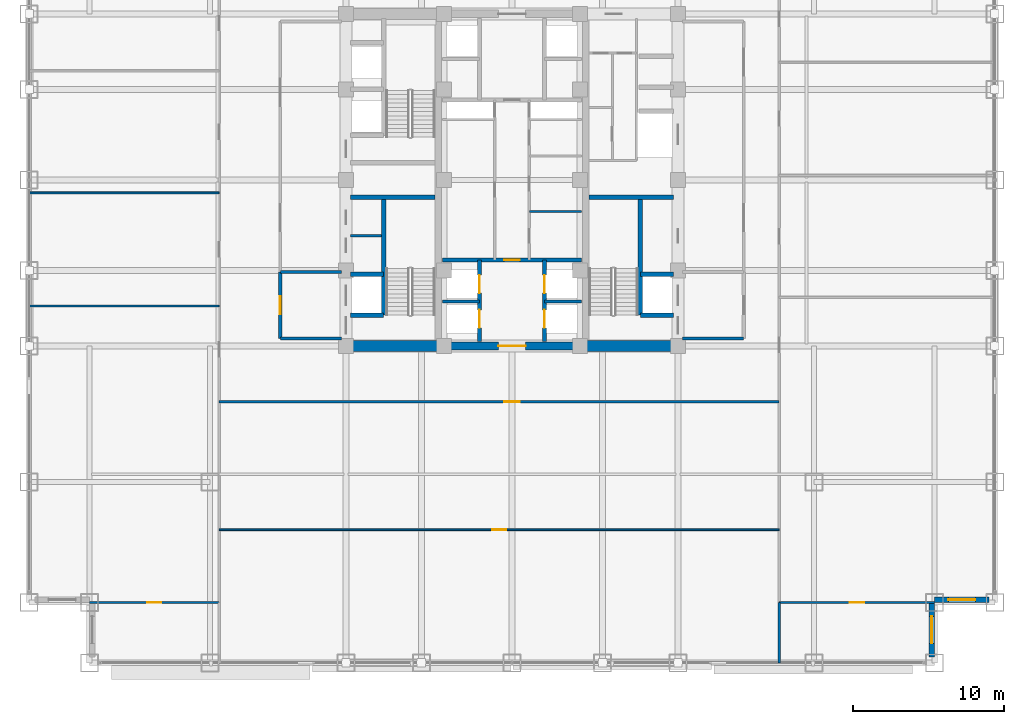
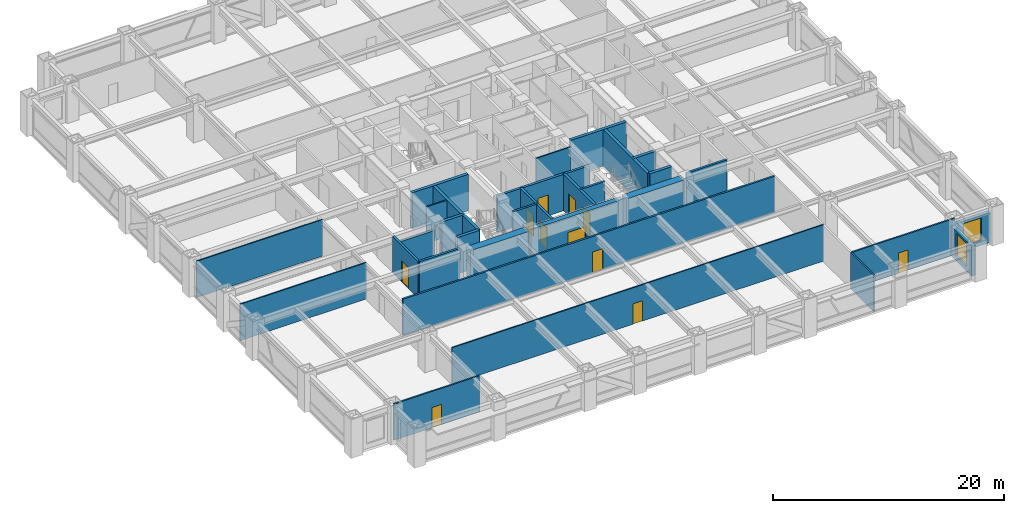
# One storey, part 23 of 32: 31 walls, 11 doors, 2 windows, 13 openings.
"""IFC4 building model written with IfcOpenShell, lengths in metres."""

import ifcopenshell
import ifcopenshell.guid

model = None  # the IFC model being written
_history = None  # IfcOwnerHistory: only IFC2X3 demands one
_inside = {}  # id of a spatial element -> (the spatial element, [elements in it])
_under = {}  # id of a project, library or spatial element -> (it, [spatial elements below it])
_declared = {}  # id of a project -> (the project, [libraries it declares])
_typed = {}  # id of a type object -> (the type object, [elements of that type])
_made_of = {}  # id of a material, layer set ... -> (it, [elements and type objects made of it])


def new_model(schema):
    """Start an empty IFC model of exactly this schema.

    Asked for "IFC4X3", IfcOpenShell would pick the latest addendum, in which some entities
    have other attributes; the version numbers below select the first issue.
    IFC2X3 requires an IfcOwnerHistory on every rooted entity: one is made here for all.
    """
    global model, _history
    if schema == "IFC4X3":
        model = ifcopenshell.file(schema_version=(4, 3, 0, 0))
    else:
        model = ifcopenshell.file(schema=schema)
    _inside.clear()
    _under.clear()
    _declared.clear()
    _typed.clear()
    _made_of.clear()
    _history = None
    if model.schema == "IFC2X3":
        org = make("IfcOrganization", Name="unknown")
        user = make(
            "IfcPersonAndOrganization",
            ThePerson=make("IfcPerson", FamilyName="unknown"),
            TheOrganization=org,
        )
        app = make(
            "IfcApplication",
            ApplicationDeveloper=org,
            Version="unknown",
            ApplicationFullName="unknown",
            ApplicationIdentifier="unknown",
        )
        _history = make(
            "IfcOwnerHistory",
            OwningUser=user,
            OwningApplication=app,
            ChangeAction="ADDED",
            CreationDate=0,
        )
    return model


def make(cls, **values):
    """One entity of the class cls with the attributes given. An attribute that is None is left unset."""
    return model.create_entity(
        cls, **{name: value for name, value in values.items() if value is not None}
    )


def rooted(cls, **values):
    """An entity with a GlobalId (a new one), such as an element, a storey or a relation."""
    return make(cls, GlobalId=ifcopenshell.guid.new(), OwnerHistory=_history, **values)


def si_unit(unit_type, name, prefix=None):
    """IfcSIUnit, for example si_unit("LENGTHUNIT", "METRE", prefix="MILLI")."""
    return make("IfcSIUnit", UnitType=unit_type, Prefix=prefix, Name=name)


def assignment(units):
    """IfcUnitAssignment: the units of a project."""
    return None if units is None else make("IfcUnitAssignment", Units=units)


def point(xyz):
    """IfcCartesianPoint."""
    return None if xyz is None else make("IfcCartesianPoint", Coordinates=xyz)


def direction(xyz):
    """IfcDirection."""
    return None if xyz is None else make("IfcDirection", DirectionRatios=xyz)


def frame(location, z_axis=None, x_axis=None):
    """IfcAxis2Placement3D, a coordinate frame: its origin and axes. An axis left out is left unset."""
    return make(
        "IfcAxis2Placement3D",
        Location=point(location),
        Axis=direction(z_axis),
        RefDirection=direction(x_axis),
    )


def frame_2d(location, x_axis=None):
    """IfcAxis2Placement2D, a coordinate frame in the plane: its origin and x axis."""
    return make(
        "IfcAxis2Placement2D", Location=point(location), RefDirection=direction(x_axis)
    )


def origin():
    """The frame at (0, 0, 0) with its axes left unset."""
    return frame((0.0, 0.0, 0.0))


def place(relative_to, where):
    """IfcLocalPlacement: puts the frame where relative to a parent placement (None: the world)."""
    return make(
        "IfcLocalPlacement", PlacementRelTo=relative_to, RelativePlacement=where
    )


def context(
    kind, dimensions, precision=None, world=None, true_north=None, identifier=None
):
    """IfcGeometricRepresentationContext, for example the 3D "Model" context."""
    return make(
        "IfcGeometricRepresentationContext",
        ContextIdentifier=identifier,
        ContextType=kind,
        CoordinateSpaceDimension=dimensions,
        Precision=precision,
        WorldCoordinateSystem=world,
        TrueNorth=true_north,
    )


def subcontext(parent, identifier, kind, view, scale=None):
    """IfcGeometricRepresentationSubContext, for example "Body" below "Model"."""
    return make(
        "IfcGeometricRepresentationSubContext",
        ContextIdentifier=identifier,
        ContextType=kind,
        ParentContext=parent,
        TargetScale=scale,
        TargetView=view,
    )


def project(units=None, contexts=None):
    """IfcProject with its units and contexts."""
    return rooted(
        "IfcProject",
        Name="project",
        RepresentationContexts=contexts,
        UnitsInContext=assignment(units),
    )


def spatial(cls, under=None, at=None, **own):
    """A site, building, storey or space (cls), placed at a placement, below another one or the project."""
    s = rooted(cls, ObjectPlacement=at, **own)
    if under is not None:
        _under.setdefault(under.id(), (under, []))[1].append(s)
    return s


def profile(cls, at=None, kind="AREA", **sizes):
    """A parametric profile (cls). Its sizes go by their IFC names, for example OverallWidth=200.0."""
    return make(cls, ProfileType=kind, Position=at, **sizes)


def rectangle(**sizes):
    """IfcRectangleProfileDef."""
    return profile("IfcRectangleProfileDef", **sizes)


def extrude(swept, where, along, depth):
    """IfcExtrudedAreaSolid: the profile swept, set in the frame where, extruded along a direction by depth."""
    return make(
        "IfcExtrudedAreaSolid",
        SweptArea=swept,
        Position=where,
        ExtrudedDirection=direction(along),
        Depth=depth,
    )


def shape(context_of_items, identifier, shape_type, items):
    """IfcShapeRepresentation: the items that make up one representation, for example the "Body"."""
    return make(
        "IfcShapeRepresentation",
        ContextOfItems=context_of_items,
        RepresentationIdentifier=identifier,
        RepresentationType=shape_type,
        Items=items,
    )


def source(mapping_origin, context_of_items, identifier, shape_type, items):
    """IfcRepresentationMap: a shape defined once, which mapped items show again and again."""
    return make(
        "IfcRepresentationMap",
        MappingOrigin=mapping_origin,
        MappedRepresentation=shape(context_of_items, identifier, shape_type, items),
    )


def transform(
    local_origin,
    x_axis=None,
    y_axis=None,
    z_axis=None,
    scale=None,
    scale2=None,
    scale3=None,
    uniform=True,
):
    """IfcCartesianTransformationOperator3D, or its non-uniform kind. x_axis, y_axis, z_axis: its Axis1, 2, 3."""
    if uniform:
        return make(
            "IfcCartesianTransformationOperator3D",
            Axis1=direction(x_axis),
            Axis2=direction(y_axis),
            LocalOrigin=point(local_origin),
            Scale=scale,
            Axis3=direction(z_axis),
        )
    return make(
        "IfcCartesianTransformationOperator3DnonUniform",
        Axis1=direction(x_axis),
        Axis2=direction(y_axis),
        LocalOrigin=point(local_origin),
        Scale=scale,
        Axis3=direction(z_axis),
        Scale2=scale2,
        Scale3=scale3,
    )


def mapped(mapping_source, mapping_target):
    """IfcMappedItem: shows the shape of a source again, moved by a transform."""
    return make(
        "IfcMappedItem", MappingSource=mapping_source, MappingTarget=mapping_target
    )


def material(Name=None, Category=None):
    """IfcMaterial."""
    return make("IfcMaterial", Name=Name, Category=Category)


def layer(
    of_material, thickness, ventilated=None, Name=None, Category=None, Priority=None
):
    """IfcMaterialLayer: one layer of a wall or slab, of a material (None: an air gap)."""
    return make(
        "IfcMaterialLayer",
        Material=of_material,
        LayerThickness=thickness,
        IsVentilated=ventilated,
        Name=Name,
        Category=Category,
        Priority=Priority,
    )


def layer_set(layers, Name=None):
    """IfcMaterialLayerSet."""
    return make("IfcMaterialLayerSet", MaterialLayers=layers, LayerSetName=Name)


def made_of(thing, what):
    """Note that an element or type object is made of a material, layer set ...; save() writes the relation."""
    if what is not None:
        _made_of.setdefault(what.id(), (what, []))[1].append(thing)
    return thing


def type_object(cls, material=None, **own):
    """A type object (cls), such as IfcWallType, which elements share."""
    return made_of(rooted(cls, **own), material)


def element(
    cls,
    number,
    at=None,
    inside=None,
    cuts=None,
    type_object=None,
    material=None,
    context=None,
    identifier="Body",
    shape_type=None,
    held_by="IfcProductDefinitionShape",
    body=None,
    shapes=None,
    **own,
):
    """One element of the class cls, such as IfcWall. Its Tag is "e" and its number.

    at: its placement. inside: the storey or other place that contains it. cuts: it is an
    opening in that element (IfcRelVoidsElement). A single representation is given by context,
    identifier, shape_type and body (its items); several are given by shapes. held_by: the class
    of the entity that holds the representations. save() writes the other relations.
    """
    e = rooted(cls, Tag="e%d" % number, ObjectPlacement=at, **own)
    if body is not None:
        shapes = [shape(context, identifier, shape_type, body)]
    if shapes is not None:
        e.Representation = make(held_by, Representations=shapes)
    if inside is not None:
        _inside.setdefault(inside.id(), (inside, []))[1].append(e)
    if cuts is not None:
        rooted(
            "IfcRelVoidsElement", RelatingBuildingElement=cuts, RelatedOpeningElement=e
        )
    if type_object is not None:
        _typed.setdefault(type_object.id(), (type_object, []))[1].append(e)
    return made_of(e, material)


def fill(opening, filler):
    """IfcRelFillsElement: the door or window that sits in an opening."""
    return rooted(
        "IfcRelFillsElement",
        RelatingOpeningElement=opening,
        RelatedBuildingElement=filler,
    )


def aggregate(whole, parts):
    """IfcRelAggregates: a whole, such as a stair, and the parts it consists of."""
    return rooted("IfcRelAggregates", RelatingObject=whole, RelatedObjects=parts)


def save(model, path):
    """Write the relations noted so far, then the file.

    IfcRelAggregates (storeys below a building ...), IfcRelContainedInSpatialStructure (elements
    in a storey), IfcRelDefinesByType, IfcRelAssociatesMaterial and IfcRelDeclares: one each for
    every whole, place, type object, material and project.
    """
    for whole, parts in _under.values():
        aggregate(whole, parts)
    for where, things in _inside.values():
        rooted(
            "IfcRelContainedInSpatialStructure",
            RelatedElements=things,
            RelatingStructure=where,
        )
    for kind, things in _typed.values():
        rooted("IfcRelDefinesByType", RelatedObjects=things, RelatingType=kind)
    for what, things in _made_of.values():
        rooted("IfcRelAssociatesMaterial", RelatedObjects=things, RelatingMaterial=what)
    for by, libraries in _declared.values():
        rooted("IfcRelDeclares", RelatingContext=by, RelatedDefinitions=libraries)
    model.write(path)


model = new_model("IFC4")

# Units and contexts
model_context = context("Model", 3, precision=1e-05, world=origin(), true_north=direction((0.0, 1.0)))
body_context = subcontext(model_context, "Body", "Model", "MODEL_VIEW")
ifc_project = project(units=[si_unit("LENGTHUNIT", "METRE"), si_unit("AREAUNIT", "SQUARE_METRE"), si_unit("VOLUMEUNIT", "CUBIC_METRE"), si_unit("PLANEANGLEUNIT", "RADIAN"), si_unit("MASSUNIT", "GRAM", prefix="KILO")], contexts=[model_context])

# Site, building, storey
site_placement = place(None, origin())
site = spatial("IfcSite", under=ifc_project, at=site_placement, CompositionType="ELEMENT")
building_placement = place(site_placement, origin())
building = spatial("IfcBuilding", under=site, at=building_placement, Name="Khorayat Bourse Tower", CompositionType="ELEMENT")
storey_placement = place(building_placement, frame((0.0, 0.0, 95.5)))
storey = spatial("IfcBuildingStorey", under=building, at=storey_placement, Name="L21", CompositionType="ELEMENT", Elevation=95.5)

# Walls
ifc_material_1 = material(Name="Concrete C72/90", Category="concrete")
ifc_layer_1 = layer(ifc_material_1, 0.75)
ifc_layer_set_1 = layer_set([ifc_layer_1], Name="Concrete C72/90")
wall_type_1 = type_object("IfcWallType", Name="WAL-CORE-750", PredefinedType="SHEAR", material=ifc_layer_set_1)
shared_shape_1 = source(origin(), body_context, "Body", "SweptSolid", [
    extrude(rectangle(XDim=5.849853515625, YDim=0.75, at=frame_2d((2.9248046875, 0.0))), origin(), (0.0, 0.0, 1.0), 3.840087890625),
])
for number, where, z_axis, x_axis, name in (
    (1, (-10.699951171875, -11.0, 0.0), (0.0, 0.0, 1.0), (1.0, 0.0, 0.0), "L21 Core Shear Wall PIER-WS"),
    (2, (4.85009765625, -11.0, 0.0), (0.0, 0.0, 1.0), (1.0, 0.0, 0.0), "L21 Core Shear Wall PIER-ES"),
):
    element("IfcWall", number, at=place(storey_placement, frame(where, z_axis=z_axis, x_axis=x_axis)), inside=storey, type_object=wall_type_1, Name=name, PredefinedType="SHEAR", context=body_context, shape_type="MappedRepresentation", body=[
        mapped(shared_shape_1, transform((0.0, 0.0, 0.0), scale=1.0)),
    ])
ifc_material_2 = material(Name="Concrete C50/60", Category="concrete")
ifc_layer_2 = layer(ifc_material_2, 0.300048828125)
ifc_layer_set_2 = layer_set([ifc_layer_2], Name="Concrete C50/60")
wall_type_2 = type_object("IfcWallType", Name="WAL-SHAFT-300", PredefinedType="SHEAR", material=ifc_layer_set_2)
shared_shape_2 = source(origin(), body_context, "Body", "SweptSolid", [
    extrude(rectangle(XDim=5.599853515625, YDim=0.300048828125, at=frame_2d((2.7998046875, 0.0))), origin(), (0.0, 0.0, 1.0), 3.840087890625),
])
for number, where, z_axis, x_axis, name in (
    (3, (-10.699951171875, -1.14990234375, 0.0), (0.0, 0.0, 1.0), (1.0, 0.0, 0.0), "L21 Core Shear Wall ST1-DIV"),
    (4, (5.10009765625, -1.14990234375, 0.0), (0.0, 0.0, 1.0), (1.0, 0.0, 0.0), "L21 Core Shear Wall ST3-DIV"),
):
    element("IfcWall", number, at=place(storey_placement, frame(where, z_axis=z_axis, x_axis=x_axis)), inside=storey, type_object=wall_type_2, Name=name, PredefinedType="SHEAR", context=body_context, shape_type="MappedRepresentation", body=[
        mapped(shared_shape_2, transform((0.0, 0.0, 0.0), scale=1.0)),
    ])

# Wall, opening, door
ifc_material_3 = material(Name="Concrete C52/65", Category="concrete")
ifc_layer_3 = layer(ifc_material_3, 0.5)
ifc_layer_set_3 = layer_set([ifc_layer_3], Name="Concrete C52/65")
wall_type_3 = type_object("IfcWallType", Name="WAL-CORE-500", PredefinedType="SHEAR", material=ifc_layer_set_3)
shared_shape_3 = source(origin(), body_context, "Body", "SweptSolid", [
    extrude(rectangle(XDim=9.2001953125, YDim=0.5, at=frame_2d((4.60009765625, 0.0))), origin(), (0.0, 0.0, 1.0), 3.840087890625),
])
wall_1_placement = place(storey_placement, frame((-4.60009765625, -11.0, 0.0), z_axis=(0.0, 0.0, 1.0), x_axis=(1.0, 0.0, 0.0)))
wall_1 = element("IfcWall", 5, at=wall_1_placement, inside=storey, type_object=wall_type_3, Name="L21 Core Shear Wall CORE-S", PredefinedType="SHEAR", context=body_context, shape_type="MappedRepresentation", body=[
    mapped(shared_shape_3, transform((0.0, 0.0, 0.0), scale=1.0)),
])
shared_shape_4 = source(origin(), body_context, "Body", "SweptSolid", [
    extrude(rectangle(XDim=1.800048828125, YDim=2.25, at=frame_2d((0.89990234375, 1.125))), frame((0.0, 0.260009765625, 0.0), z_axis=(0.0, -1.0, 0.0), x_axis=(1.0, 0.0, 0.0)), (0.0, 0.0, 1.0), 0.52001953125),
])
opening_1_placement = place(wall_1_placement, frame((3.699951171875, 0.0, 0.0)))
opening_1 = element("IfcOpeningElement", 6, at=opening_1_placement, cuts=wall_1, Name="Opening DI-03", PredefinedType="OPENING", context=body_context, shape_type="MappedRepresentation", body=[
    mapped(shared_shape_4, transform((0.0, 0.0, 0.0), scale=1.0)),
])
ifc_material_4 = material(Name="Fire-rated hardwood vision-panel double leaf", Category="wood")
door_type_1 = type_object("IfcDoorType", Name="DR-INT-CORR-1800", OperationType="NOTDEFINED", PredefinedType="DOOR", material=ifc_material_4)
shared_shape_5 = source(origin(), body_context, "Body", "SweptSolid", [
    extrude(rectangle(XDim=1.800048828125, YDim=2.25, at=frame_2d((0.89990234375, 1.125))), frame((0.0, 0.02490234375, 0.0), z_axis=(0.0, -1.0, 0.0), x_axis=(1.0, 0.0, 0.0)), (0.0, 0.0, 1.0), 0.050048828125),
])
door_1_placement = place(opening_1_placement, origin())
door_1 = element("IfcDoor", 7, at=door_1_placement, inside=storey, type_object=door_type_1, Name="L21 Low-Rise Lift Lobby Door", OperationType="SINGLE_SWING_LEFT", OverallHeight=2.25, OverallWidth=1.800048828125, PredefinedType="DOOR", context=body_context, shape_type="MappedRepresentation", body=[
    mapped(shared_shape_5, transform((0.0, 0.0, 0.0), scale=1.0)),
])
fill(opening_1, door_1)

# Wall, opening, window
ifc_material_5 = material(Name="Precast concrete C45/55", Category="concrete")
ifc_layer_4 = layer(ifc_material_5, 0.3798828125)
ifc_layer_set_4 = layer_set([ifc_layer_4], Name="Precast concrete C45/55")
wall_type_4 = type_object("IfcWallType", Name="WAL-EXT-STONE-380", PredefinedType="STANDARD", material=ifc_layer_set_4)
shared_shape_6 = source(origin(), body_context, "Body", "SweptSolid", [
    extrude(rectangle(XDim=3.6201171875, YDim=0.3798828125, at=frame_2d((1.81005859375, 0.0))), origin(), (0.0, 0.0, 1.0), 3.14501953125),
])
wall_2_placement = place(storey_placement, frame((27.81005859375, -31.6201171875, 0.0), z_axis=(0.0, 0.0, 1.0), x_axis=(0.0, 1.0, 0.0)))
wall_2 = element("IfcWall", 8, at=wall_2_placement, inside=storey, type_object=wall_type_4, Name="L21 Re-Entrant Notch Limestone Wall SE-V", PredefinedType="STANDARD", context=body_context, shape_type="MappedRepresentation", body=[
    mapped(shared_shape_6, transform((0.0, 0.0, 0.0), scale=1.0)),
])
shared_shape_7 = source(origin(), body_context, "Body", "SweptSolid", [
    extrude(rectangle(XDim=1.800048828125, YDim=2.39990234375, at=frame_2d((0.89990234375, 1.199951171875))), frame((0.0, 0.199951171875, 0.0), z_axis=(0.0, -1.0, 0.0), x_axis=(1.0, 0.0, 0.0)), (0.0, 0.0, 1.0), 0.39990234375),
])
opening_2_placement = place(wall_2_placement, frame((0.909912109375, 0.0, 0.5)))
opening_2 = element("IfcOpeningElement", 9, at=opening_2_placement, cuts=wall_2, Name="Opening WN-04", PredefinedType="OPENING", context=body_context, shape_type="MappedRepresentation", body=[
    mapped(shared_shape_7, transform((0.0, 0.0, 0.0), scale=1.0)),
])
ifc_material_6 = material(Name="Low-E acoustic laminated double glazing", Category="glass")
window_type = type_object("IfcWindowType", Name="WIN-NOTCH-1800x2400", PartitioningType="SINGLE_PANEL", PredefinedType="WINDOW", material=ifc_material_6)
shared_shape_8 = source(origin(), body_context, "Body", "SweptSolid", [
    extrude(rectangle(XDim=1.800048828125, YDim=2.39990234375, at=frame_2d((0.89990234375, 1.199951171875))), frame((0.0, 0.030029296875, 0.0), z_axis=(0.0, -1.0, 0.0), x_axis=(1.0, 0.0, 0.0)), (0.0, 0.0, 1.0), 0.06005859375),
])
window_1_placement = place(opening_2_placement, origin())
window_1 = element("IfcWindow", 10, at=window_1_placement, inside=storey, type_object=window_type, Name="L21 Facade Window 1", OverallHeight=2.39990234375, OverallWidth=1.800048828125, PartitioningType="SINGLE_PANEL", PredefinedType="WINDOW", context=body_context, shape_type="MappedRepresentation", body=[
    mapped(shared_shape_8, transform((0.0, 0.0, 0.0), scale=1.0)),
])
fill(opening_2, window_1)

wall_3_placement = place(storey_placement, frame((28.0, -27.81005859375, 0.0), z_axis=(0.0, 0.0, 1.0), x_axis=(1.0, 0.0, 0.0)))
wall_3 = element("IfcWall", 11, at=wall_3_placement, inside=storey, type_object=wall_type_4, Name="L21 Re-Entrant Notch Limestone Wall SE-H", PredefinedType="STANDARD", context=body_context, shape_type="MappedRepresentation", body=[
    mapped(shared_shape_6, transform((0.0, 0.0, 0.0), scale=1.0)),
])
opening_3_placement = place(wall_3_placement, frame((0.909912109375, 0.0, 0.5)))
opening_3 = element("IfcOpeningElement", 12, at=opening_3_placement, cuts=wall_3, Name="Opening WN-04", PredefinedType="OPENING", context=body_context, shape_type="MappedRepresentation", body=[
    mapped(shared_shape_7, transform((0.0, 0.0, 0.0), scale=1.0)),
])
window_2_placement = place(opening_3_placement, origin())
window_2 = element("IfcWindow", 13, at=window_2_placement, inside=storey, type_object=window_type, Name="L21 Facade Window 1", OverallHeight=2.39990234375, OverallWidth=1.800048828125, PartitioningType="SINGLE_PANEL", PredefinedType="WINDOW", context=body_context, shape_type="MappedRepresentation", body=[
    mapped(shared_shape_8, transform((0.0, 0.0, 0.0), scale=1.0)),
])
fill(opening_3, window_2)

# Walls
shared_shape_9 = source(origin(), body_context, "Body", "SweptSolid", [
    extrude(rectangle(XDim=7.800048828125, YDim=0.300048828125, at=frame_2d((3.89990234375, 0.0))), origin(), (0.0, 0.0, 1.0), 3.840087890625),
])
for number, where, z_axis, x_axis, name in (
    (14, (-8.5, -8.949951171875, 0.0), (0.0, 0.0, 1.0), (0.0, 1.0, 0.0), "L21 Partition WAL-L21-WPIER-SP"),
    (15, (8.5, -8.949951171875, 0.0), (0.0, 0.0, 1.0), (0.0, 1.0, 0.0), "L21 Partition WAL-L21-EPIER-SP"),
):
    element("IfcWall", number, at=place(storey_placement, frame(where, z_axis=z_axis, x_axis=x_axis)), inside=storey, type_object=wall_type_2, Name=name, PredefinedType="SHEAR", context=body_context, shape_type="MappedRepresentation", body=[
        mapped(shared_shape_9, transform((0.0, 0.0, 0.0), scale=1.0)),
    ])
shared_shape_10 = source(origin(), body_context, "Body", "SweptSolid", [
    extrude(rectangle(XDim=2.199951171875, YDim=0.300048828125, at=frame_2d((1.10009765625, 0.0))), origin(), (0.0, 0.0, 1.0), 3.840087890625),
])
for number, where, z_axis, x_axis, name in (
    (16, (-10.699951171875, -8.949951171875, 0.0), (0.0, 0.0, 1.0), (1.0, 0.0, 0.0), "L21 Partition WAL-L21-WPIER-FF1S"),
    (17, (-10.699951171875, -6.25, 0.0), (0.0, 0.0, 1.0), (1.0, 0.0, 0.0), "L21 Partition WAL-L21-WPIER-FF1N"),
    (18, (8.5, -8.949951171875, 0.0), (0.0, 0.0, 1.0), (1.0, 0.0, 0.0), "L21 Partition WAL-L21-EPIER-FF2S"),
    (19, (8.5, -6.25, 0.0), (0.0, 0.0, 1.0), (1.0, 0.0, 0.0), "L21 Partition WAL-L21-EPIER-FF2N"),
):
    element("IfcWall", number, at=place(storey_placement, frame(where, z_axis=z_axis, x_axis=x_axis)), inside=storey, type_object=wall_type_2, Name=name, PredefinedType="SHEAR", context=body_context, shape_type="MappedRepresentation", body=[
        mapped(shared_shape_10, transform((0.0, 0.0, 0.0), scale=1.0)),
    ])
ifc_material_7 = material(Name="Gypsum plasterboard twin-frame partition")
ifc_layer_5 = layer(ifc_material_7, 0.14990234375)
ifc_layer_set_5 = layer_set([ifc_layer_5], Name="Gypsum plasterboard twin-frame partition")
wall_type_5 = type_object("IfcWallType", Name="WAL-PART-SUITE-150", PredefinedType="PARTITIONING", material=ifc_layer_set_5)
shared_shape_11 = source(origin(), body_context, "Body", "SweptSolid", [
    extrude(rectangle(XDim=2.050048828125, YDim=0.14990234375, at=frame_2d((1.02490234375, 0.0))), origin(), (0.0, 0.0, 1.0), 3.840087890625),
])
wall_4_placement = place(storey_placement, frame((-10.699951171875, -3.699951171875, 0.0), z_axis=(0.0, 0.0, 1.0), x_axis=(1.0, 0.0, 0.0)))
element("IfcWall", 20, at=wall_4_placement, inside=storey, type_object=wall_type_5, Name="L21 Partition WAL-L21-WSRV-D1", PredefinedType="PARTITIONING", context=body_context, shape_type="MappedRepresentation", body=[
    mapped(shared_shape_11, transform((0.0, 0.0, 0.0), scale=1.0)),
])
ifc_material_8 = material(Name="Aerated concrete blockwork", Category="masonry")
ifc_layer_6 = layer(ifc_material_8, 0.219970703125)
ifc_layer_set_6 = layer_set([ifc_layer_6], Name="Aerated concrete blockwork")
wall_type_6 = type_object("IfcWallType", Name="WAL-PART-FF-220", PredefinedType="PARTITIONING", material=ifc_layer_set_6)
shared_shape_12 = source(origin(), body_context, "Body", "SweptSolid", [
    extrude(rectangle(XDim=4.050048828125, YDim=0.219970703125, at=frame_2d((2.02490234375, 0.0))), origin(), (0.0, 0.0, 1.0), 3.840087890625),
])
for number, where, z_axis, x_axis, name in (
    (21, (-15.35009765625, -10.5, 0.0), (0.0, 0.0, 1.0), (1.0, 0.0, 0.0), "L21 Partition WAL-L21-FFLW-S"),
    (22, (11.300048828125, -10.5, 0.0), (0.0, 0.0, 1.0), (1.0, 0.0, 0.0), "L21 Partition WAL-L21-FFLE-S"),
):
    element("IfcWall", number, at=place(storey_placement, frame(where, z_axis=z_axis, x_axis=x_axis)), inside=storey, type_object=wall_type_6, Name=name, PredefinedType="PARTITIONING", context=body_context, shape_type="MappedRepresentation", body=[
        mapped(shared_shape_12, transform((0.0, 0.0, 0.0), scale=1.0)),
    ])

# Wall, opening, door
shared_shape_13 = source(origin(), body_context, "Body", "SweptSolid", [
    extrude(rectangle(XDim=4.39990234375, YDim=0.219970703125, at=frame_2d((2.199951171875, 0.0))), origin(), (0.0, 0.0, 1.0), 3.840087890625),
])
wall_5_placement = place(storey_placement, frame((-15.35009765625, -10.5, 0.0), z_axis=(0.0, 0.0, 1.0), x_axis=(0.0, 1.0, 0.0)))
wall_5 = element("IfcWall", 23, at=wall_5_placement, inside=storey, type_object=wall_type_6, Name="L21 Partition WAL-L21-FFLW-W", PredefinedType="PARTITIONING", context=body_context, shape_type="MappedRepresentation", body=[
    mapped(shared_shape_13, transform((0.0, 0.0, 0.0), scale=1.0)),
])
shared_shape_14 = source(origin(), body_context, "Body", "SweptSolid", [
    extrude(rectangle(XDim=1.199951171875, YDim=2.199951171875, at=frame_2d((0.60009765625, 1.10009765625))), frame((0.0, 0.119873046875, 0.0), z_axis=(0.0, -1.0, 0.0), x_axis=(1.0, 0.0, 0.0)), (0.0, 0.0, 1.0), 0.239990234375),
])
opening_4_placement = place(wall_5_placement, frame((1.60009765625, 0.0, 0.0)))
opening_4 = element("IfcOpeningElement", 24, at=opening_4_placement, cuts=wall_5, Name="Opening DI-02", PredefinedType="OPENING", context=body_context, shape_type="MappedRepresentation", body=[
    mapped(shared_shape_14, transform((0.0, 0.0, 0.0), scale=1.0)),
])
ifc_material_9 = material(Name="Fire-rated steel double-seal leaf", Category="steel")
door_type_2 = type_object("IfcDoorType", Name="DR-INT-FFLOBBY-1200", OperationType="NOTDEFINED", PredefinedType="DOOR", material=ifc_material_9)
shared_shape_15 = source(origin(), body_context, "Body", "SweptSolid", [
    extrude(rectangle(XDim=1.199951171875, YDim=2.199951171875, at=frame_2d((0.60009765625, 1.10009765625))), frame((0.0, 0.02490234375, 0.0), z_axis=(0.0, -1.0, 0.0), x_axis=(1.0, 0.0, 0.0)), (0.0, 0.0, 1.0), 0.050048828125),
])
door_2_placement = place(opening_4_placement, origin())
door_2 = element("IfcDoor", 25, at=door_2_placement, inside=storey, type_object=door_type_2, Name="L21 West Firefighting Lobby Door", OperationType="SINGLE_SWING_LEFT", OverallHeight=2.199951171875, OverallWidth=1.199951171875, PredefinedType="DOOR", context=body_context, shape_type="MappedRepresentation", body=[
    mapped(shared_shape_15, transform((0.0, 0.0, 0.0), scale=1.0)),
])
fill(opening_4, door_2)

# Wall, openings, doors
shared_shape_16 = source(origin(), body_context, "Body", "SweptSolid", [
    extrude(rectangle(XDim=5.39990234375, YDim=0.25, at=frame_2d((2.699951171875, 0.0))), origin(), (0.0, 0.0, 1.0), 3.840087890625),
])
wall_6_placement = place(storey_placement, frame((-2.14990234375, -10.699951171875, 0.0), z_axis=(0.0, 0.0, 1.0), x_axis=(0.0, 1.0, 0.0)))
wall_6 = element("IfcWall", 26, at=wall_6_placement, inside=storey, type_object=wall_type_2, Name="L21 Partition WAL-L21-B1-W", PredefinedType="SHEAR", context=body_context, shape_type="MappedRepresentation", body=[
    mapped(shared_shape_16, transform((0.0, 0.0, 0.0), scale=1.0)),
])
shared_shape_17 = source(origin(), body_context, "Body", "SweptSolid", [
    extrude(rectangle(XDim=1.199951171875, YDim=2.300048828125, at=frame_2d((0.60009765625, 1.14990234375))), frame((0.0, 0.135009765625, 0.0), z_axis=(0.0, -1.0, 0.0), x_axis=(1.0, 0.0, 0.0)), (0.0, 0.0, 1.0), 0.27001953125),
])
opening_5_placement = place(wall_6_placement, frame((0.89990234375, 0.0, 0.0)))
opening_5 = element("IfcOpeningElement", 27, at=opening_5_placement, cuts=wall_6, Name="Opening LD-01", PredefinedType="OPENING", context=body_context, shape_type="MappedRepresentation", body=[
    mapped(shared_shape_17, transform((0.0, 0.0, 0.0), scale=1.0)),
])
opening_6_placement = place(wall_6_placement, frame((3.199951171875, 0.0, 0.0)))
opening_6 = element("IfcOpeningElement", 28, at=opening_6_placement, cuts=wall_6, Name="Opening LD-01", PredefinedType="OPENING", context=body_context, shape_type="MappedRepresentation", body=[
    mapped(shared_shape_17, transform((0.0, 0.0, 0.0), scale=1.0)),
])
ifc_material_10 = material(Name="Brushed bronze stainless-steel sliding door", Category="steel")
door_type_3 = type_object("IfcDoorType", Name="DR-LIFT-PASS-1200", OperationType="NOTDEFINED", PredefinedType="DOOR", material=ifc_material_10)
shared_shape_18 = source(origin(), body_context, "Body", "SweptSolid", [
    extrude(rectangle(XDim=1.199951171875, YDim=2.300048828125, at=frame_2d((0.60009765625, 1.14990234375))), frame((0.0, 0.02490234375, 0.0), z_axis=(0.0, -1.0, 0.0), x_axis=(1.0, 0.0, 0.0)), (0.0, 0.0, 1.0), 0.050048828125),
])
door_3_placement = place(opening_5_placement, origin())
door_3 = element("IfcDoor", 29, at=door_3_placement, inside=storey, type_object=door_type_3, Name="L21 Lift PL-L1 Sliding Landing Door", OperationType="SLIDING_TO_LEFT", OverallHeight=2.300048828125, OverallWidth=1.199951171875, PredefinedType="DOOR", context=body_context, shape_type="MappedRepresentation", body=[
    mapped(shared_shape_18, transform((0.0, 0.0, 0.0), scale=1.0)),
])
fill(opening_5, door_3)
door_4_placement = place(opening_6_placement, origin())
door_4 = element("IfcDoor", 30, at=door_4_placement, inside=storey, type_object=door_type_3, Name="L21 Lift PL-L3 Sliding Landing Door", OperationType="SLIDING_TO_LEFT", OverallHeight=2.300048828125, OverallWidth=1.199951171875, PredefinedType="DOOR", context=body_context, shape_type="MappedRepresentation", body=[
    mapped(shared_shape_18, transform((0.0, 0.0, 0.0), scale=1.0)),
])
fill(opening_6, door_4)

wall_7_placement = place(storey_placement, frame((2.14990234375, -10.699951171875, 0.0), z_axis=(0.0, 0.0, 1.0), x_axis=(0.0, 1.0, 0.0)))
wall_7 = element("IfcWall", 31, at=wall_7_placement, inside=storey, type_object=wall_type_2, Name="L21 Partition WAL-L21-B1-E", PredefinedType="SHEAR", context=body_context, shape_type="MappedRepresentation", body=[
    mapped(shared_shape_16, transform((0.0, 0.0, 0.0), scale=1.0)),
])
opening_7_placement = place(wall_7_placement, frame((0.89990234375, 0.0, 0.0)))
opening_7 = element("IfcOpeningElement", 32, at=opening_7_placement, cuts=wall_7, Name="Opening LD-01", PredefinedType="OPENING", context=body_context, shape_type="MappedRepresentation", body=[
    mapped(shared_shape_17, transform((0.0, 0.0, 0.0), scale=1.0)),
])
opening_8_placement = place(wall_7_placement, frame((3.199951171875, 0.0, 0.0)))
opening_8 = element("IfcOpeningElement", 33, at=opening_8_placement, cuts=wall_7, Name="Opening LD-01", PredefinedType="OPENING", context=body_context, shape_type="MappedRepresentation", body=[
    mapped(shared_shape_17, transform((0.0, 0.0, 0.0), scale=1.0)),
])
door_5_placement = place(opening_7_placement, origin())
door_5 = element("IfcDoor", 34, at=door_5_placement, inside=storey, type_object=door_type_3, Name="L21 Lift PL-L2 Sliding Landing Door", OperationType="SLIDING_TO_LEFT", OverallHeight=2.300048828125, OverallWidth=1.199951171875, PredefinedType="DOOR", context=body_context, shape_type="MappedRepresentation", body=[
    mapped(shared_shape_18, transform((0.0, 0.0, 0.0), scale=1.0)),
])
fill(opening_7, door_5)
door_6_placement = place(opening_8_placement, origin())
door_6 = element("IfcDoor", 35, at=door_6_placement, inside=storey, type_object=door_type_3, Name="L21 Lift PL-L4 Sliding Landing Door", OperationType="SLIDING_TO_LEFT", OverallHeight=2.300048828125, OverallWidth=1.199951171875, PredefinedType="DOOR", context=body_context, shape_type="MappedRepresentation", body=[
    mapped(shared_shape_18, transform((0.0, 0.0, 0.0), scale=1.0)),
])
fill(opening_8, door_6)

# Walls
shared_shape_19 = source(origin(), body_context, "Body", "SweptSolid", [
    extrude(rectangle(XDim=2.4501953125, YDim=0.199951171875, at=frame_2d((1.22509765625, 0.0))), origin(), (0.0, 0.0, 1.0), 3.840087890625),
])
for number, where, z_axis, x_axis, name in (
    (36, (-4.60009765625, -8.050048828125, 0.0), (0.0, 0.0, 1.0), (1.0, 0.0, 0.0), "L21 Partition WAL-L21-B1-MW"),
    (37, (2.14990234375, -8.050048828125, 0.0), (0.0, 0.0, 1.0), (1.0, 0.0, 0.0), "L21 Partition WAL-L21-B1-ME"),
):
    element("IfcWall", number, at=place(storey_placement, frame(where, z_axis=z_axis, x_axis=x_axis)), inside=storey, type_object=wall_type_2, Name=name, PredefinedType="SHEAR", context=body_context, shape_type="MappedRepresentation", body=[
        mapped(shared_shape_19, transform((0.0, 0.0, 0.0), scale=1.0)),
    ])

# Wall, opening, door
shared_shape_20 = source(origin(), body_context, "Body", "SweptSolid", [
    extrude(rectangle(XDim=9.2001953125, YDim=0.25, at=frame_2d((4.60009765625, 0.0))), origin(), (0.0, 0.0, 1.0), 3.840087890625),
])
wall_8_placement = place(storey_placement, frame((-4.60009765625, -5.300048828125, 0.0), z_axis=(0.0, 0.0, 1.0), x_axis=(1.0, 0.0, 0.0)))
wall_8 = element("IfcWall", 38, at=wall_8_placement, inside=storey, type_object=wall_type_2, Name="L21 Partition WAL-L21-B1-N", PredefinedType="SHEAR", context=body_context, shape_type="MappedRepresentation", body=[
    mapped(shared_shape_20, transform((0.0, 0.0, 0.0), scale=1.0)),
])
shared_shape_21 = source(origin(), body_context, "Body", "SweptSolid", [
    extrude(rectangle(XDim=1.050048828125, YDim=2.199951171875, at=frame_2d((0.52490234375, 1.10009765625))), frame((0.0, 0.135009765625, 0.0), z_axis=(0.0, -1.0, 0.0), x_axis=(1.0, 0.0, 0.0)), (0.0, 0.0, 1.0), 0.27001953125),
])
opening_9_placement = place(wall_8_placement, frame((4.074951171875, 0.0, 0.0)))
opening_9 = element("IfcOpeningElement", 39, at=opening_9_placement, cuts=wall_8, Name="Opening DI-04", PredefinedType="OPENING", context=body_context, shape_type="MappedRepresentation", body=[
    mapped(shared_shape_21, transform((0.0, 0.0, 0.0), scale=1.0)),
])
ifc_material_11 = material(Name="Fire-rated oak veneer suite entrance door")
door_type_4 = type_object("IfcDoorType", Name="DR-INT-SUITE-1050", OperationType="NOTDEFINED", PredefinedType="DOOR", material=ifc_material_11)
shared_shape_22 = source(origin(), body_context, "Body", "SweptSolid", [
    extrude(rectangle(XDim=1.050048828125, YDim=2.199951171875, at=frame_2d((0.52490234375, 1.10009765625))), frame((0.0, 0.02490234375, 0.0), z_axis=(0.0, -1.0, 0.0), x_axis=(1.0, 0.0, 0.0)), (0.0, 0.0, 1.0), 0.050048828125),
])
door_7_placement = place(opening_9_placement, origin())
door_7 = element("IfcDoor", 40, at=door_7_placement, inside=storey, type_object=door_type_4, Name="L21 Core Spine South Door", OperationType="SINGLE_SWING_LEFT", OverallHeight=2.199951171875, OverallWidth=1.050048828125, PredefinedType="DOOR", context=body_context, shape_type="MappedRepresentation", body=[
    mapped(shared_shape_22, transform((0.0, 0.0, 0.0), scale=1.0)),
])
fill(opening_9, door_7)

# Wall
ifc_material_12 = material(Name="Moisture-resistant masonry partition", Category="masonry")
ifc_layer_7 = layer(ifc_material_12, 0.139892578125)
ifc_layer_set_7 = layer_set([ifc_layer_7], Name="Moisture-resistant masonry partition")
wall_type_7 = type_object("IfcWallType", Name="WAL-PART-WET-140", PredefinedType="PARTITIONING", material=ifc_layer_set_7)
shared_shape_23 = source(origin(), body_context, "Body", "SweptSolid", [
    extrude(rectangle(XDim=3.4501953125, YDim=0.139892578125, at=frame_2d((1.72509765625, 0.0))), origin(), (0.0, 0.0, 1.0), 3.840087890625),
])
wall_9_placement = place(storey_placement, frame((1.14990234375, -2.10009765625, 0.0), z_axis=(0.0, 0.0, 1.0), x_axis=(1.0, 0.0, 0.0)))
element("IfcWall", 41, at=wall_9_placement, inside=storey, type_object=wall_type_7, Name="L21 Partition WAL-L21-CME-D1", PredefinedType="PARTITIONING", context=body_context, shape_type="MappedRepresentation", body=[
    mapped(shared_shape_23, transform((0.0, 0.0, 0.0), scale=1.0)),
])

# Wall, opening, door
ifc_material_13 = material(Name="Gypsum plasterboard partition")
ifc_layer_8 = layer(ifc_material_13, 0.125)
ifc_layer_set_8 = layer_set([ifc_layer_8], Name="Gypsum plasterboard partition")
wall_type_8 = type_object("IfcWallType", Name="WAL-PART-ROOM-125", PredefinedType="PARTITIONING", material=ifc_layer_set_8)
shared_shape_24 = source(origin(), body_context, "Body", "SweptSolid", [
    extrude(rectangle(XDim=37.099853515625, YDim=0.125, at=frame_2d((18.5498046875, 0.0))), origin(), (0.0, 0.0, 1.0), 3.840087890625),
])
wall_10_placement = place(storey_placement, frame((-19.39990234375, -23.177001953125, 0.0), z_axis=(0.0, 0.0, 1.0), x_axis=(1.0, 0.0, 0.0)))
wall_10 = element("IfcWall", 42, at=wall_10_placement, inside=storey, type_object=wall_type_8, Name="L21 Partition WAL-L21-SDP-1", PredefinedType="PARTITIONING", context=body_context, shape_type="MappedRepresentation", body=[
    mapped(shared_shape_24, transform((0.0, 0.0, 0.0), scale=1.0)),
])
shared_shape_25 = source(origin(), body_context, "Body", "SweptSolid", [
    extrude(rectangle(XDim=0.949951171875, YDim=2.14990234375, at=frame_2d((0.47509765625, 1.074951171875))), frame((0.0, 0.072509765625, 0.0), z_axis=(0.0, -1.0, 0.0), x_axis=(1.0, 0.0, 0.0)), (0.0, 0.0, 1.0), 0.14501953125),
])
opening_10_placement = place(wall_10_placement, frame((18.074951171875, 0.0, 0.0)))
opening_10 = element("IfcOpeningElement", 43, at=opening_10_placement, cuts=wall_10, Name="Opening DI-05", PredefinedType="OPENING", context=body_context, shape_type="MappedRepresentation", body=[
    mapped(shared_shape_25, transform((0.0, 0.0, 0.0), scale=1.0)),
])
ifc_material_14 = material(Name="Acoustic oak veneer office door")
door_type_5 = type_object("IfcDoorType", Name="DR-INT-OFFICE-950", OperationType="NOTDEFINED", PredefinedType="DOOR", material=ifc_material_14)
shared_shape_26 = source(origin(), body_context, "Body", "SweptSolid", [
    extrude(rectangle(XDim=0.949951171875, YDim=2.14990234375, at=frame_2d((0.47509765625, 1.074951171875))), frame((0.0, 0.02490234375, 0.0), z_axis=(0.0, -1.0, 0.0), x_axis=(1.0, 0.0, 0.0)), (0.0, 0.0, 1.0), 0.050048828125),
])
door_8_placement = place(opening_10_placement, origin())
door_8 = element("IfcDoor", 44, at=door_8_placement, inside=storey, type_object=door_type_5, Name="L21 Members Club Room S1B Door", OperationType="SINGLE_SWING_RIGHT", OverallHeight=2.14990234375, OverallWidth=0.949951171875, PredefinedType="DOOR", context=body_context, shape_type="MappedRepresentation", body=[
    mapped(shared_shape_26, transform((0.0, 0.0, 0.0), scale=1.0)),
])
fill(opening_10, door_8)

ifc_material_15 = material(Name="Gypsum plasterboard acoustic stud wall")
ifc_layer_9 = layer(ifc_material_15, 0.179931640625)
ifc_layer_set_9 = layer_set([ifc_layer_9], Name="Gypsum plasterboard acoustic stud wall")
wall_type_9 = type_object("IfcWallType", Name="WAL-PART-CORR-180", PredefinedType="PARTITIONING", material=ifc_layer_set_9)
shared_shape_27 = source(origin(), body_context, "Body", "SweptSolid", [
    extrude(rectangle(XDim=37.099853515625, YDim=0.179931640625, at=frame_2d((18.5498046875, 0.0))), origin(), (0.0, 0.0, 1.0), 3.840087890625),
])
wall_11_placement = place(storey_placement, frame((-19.39990234375, -14.699951171875, 0.0), z_axis=(0.0, 0.0, 1.0), x_axis=(1.0, 0.0, 0.0)))
wall_11 = element("IfcWall", 45, at=wall_11_placement, inside=storey, type_object=wall_type_9, Name="L21 Partition WAL-L21-SCORR", PredefinedType="PARTITIONING", context=body_context, shape_type="MappedRepresentation", body=[
    mapped(shared_shape_27, transform((0.0, 0.0, 0.0), scale=1.0)),
])
shared_shape_28 = source(origin(), body_context, "Body", "SweptSolid", [
    extrude(rectangle(XDim=1.050048828125, YDim=2.199951171875, at=frame_2d((0.52490234375, 1.10009765625))), frame((0.0, 0.099853515625, 0.0), z_axis=(0.0, -1.0, 0.0), x_axis=(1.0, 0.0, 0.0)), (0.0, 0.0, 1.0), 0.199951171875),
])
opening_11_placement = place(wall_11_placement, frame((18.875, 0.0, 0.0)))
opening_11 = element("IfcOpeningElement", 46, at=opening_11_placement, cuts=wall_11, Name="Opening DI-04", PredefinedType="OPENING", context=body_context, shape_type="MappedRepresentation", body=[
    mapped(shared_shape_28, transform((0.0, 0.0, 0.0), scale=1.0)),
])
door_9_placement = place(opening_11_placement, origin())
door_9 = element("IfcDoor", 47, at=door_9_placement, inside=storey, type_object=door_type_4, Name="L21 Market Reference Library S1 Door", OperationType="SINGLE_SWING_RIGHT", OverallHeight=2.199951171875, OverallWidth=1.050048828125, PredefinedType="DOOR", context=body_context, shape_type="MappedRepresentation", body=[
    mapped(shared_shape_22, transform((0.0, 0.0, 0.0), scale=1.0)),
])
fill(opening_11, door_9)

# Walls
shared_shape_29 = source(origin(), body_context, "Body", "SweptSolid", [
    extrude(rectangle(XDim=4.0, YDim=0.14990234375, at=frame_2d((2.0, 0.0))), origin(), (0.0, 0.0, 1.0), 3.840087890625),
])
wall_12_placement = place(storey_placement, frame((17.699951171875, -32.0, 0.0), z_axis=(0.0, 0.0, 1.0), x_axis=(0.0, 1.0, 0.0)))
element("IfcWall", 48, at=wall_12_placement, inside=storey, type_object=wall_type_5, Name="L21 Partition WAL-L21-SCE-END", PredefinedType="PARTITIONING", context=body_context, shape_type="MappedRepresentation", body=[
    mapped(shared_shape_29, transform((0.0, 0.0, 0.0), scale=1.0)),
])
shared_shape_30 = source(origin(), body_context, "Body", "SweptSolid", [
    extrude(rectangle(XDim=12.60009765625, YDim=0.125, at=frame_2d((6.300048828125, 0.0))), origin(), (0.0, 0.0, 1.0), 3.840087890625),
])
for number, where, z_axis, x_axis, name in (
    (49, (-32.0, -8.35302734375, 0.0), (0.0, 0.0, 1.0), (1.0, 0.0, 0.0), "L21 Partition WAL-L21-WDV-1"),
    (50, (-32.0, -0.85205078125, 0.0), (0.0, 0.0, 1.0), (1.0, 0.0, 0.0), "L21 Partition WAL-L21-WDV-2"),
):
    element("IfcWall", number, at=place(storey_placement, frame(where, z_axis=z_axis, x_axis=x_axis)), inside=storey, type_object=wall_type_8, Name=name, PredefinedType="PARTITIONING", context=body_context, shape_type="MappedRepresentation", body=[
        mapped(shared_shape_30, transform((0.0, 0.0, 0.0), scale=1.0)),
    ])

# Wall, opening, door
shared_shape_31 = source(origin(), body_context, "Body", "SweptSolid", [
    extrude(rectangle(XDim=8.60009765625, YDim=0.14990234375, at=frame_2d((4.300048828125, 0.0))), origin(), (0.0, 0.0, 1.0), 3.840087890625),
])
wall_13_placement = place(storey_placement, frame((-28.0, -28.0, 0.0), z_axis=(0.0, 0.0, 1.0), x_axis=(1.0, 0.0, 0.0)))
wall_13 = element("IfcWall", 51, at=wall_13_placement, inside=storey, type_object=wall_type_5, Name="L21 Partition WAL-L21-CSW", PredefinedType="PARTITIONING", context=body_context, shape_type="MappedRepresentation", body=[
    mapped(shared_shape_31, transform((0.0, 0.0, 0.0), scale=1.0)),
])
shared_shape_32 = source(origin(), body_context, "Body", "SweptSolid", [
    extrude(rectangle(XDim=0.949951171875, YDim=2.14990234375, at=frame_2d((0.47509765625, 1.074951171875))), frame((0.0, 0.0849609375, 0.0), z_axis=(0.0, -1.0, 0.0), x_axis=(1.0, 0.0, 0.0)), (0.0, 0.0, 1.0), 0.169921875),
])
opening_12_placement = place(wall_13_placement, frame((3.824951171875, 0.0, 0.0)))
opening_12 = element("IfcOpeningElement", 52, at=opening_12_placement, cuts=wall_13, Name="Opening DI-05", PredefinedType="OPENING", context=body_context, shape_type="MappedRepresentation", body=[
    mapped(shared_shape_32, transform((0.0, 0.0, 0.0), scale=1.0)),
])
door_10_placement = place(opening_12_placement, origin())
door_10 = element("IfcDoor", 53, at=door_10_placement, inside=storey, type_object=door_type_5, Name="L21 South-West Corner Office Door", OperationType="SINGLE_SWING_LEFT", OverallHeight=2.14990234375, OverallWidth=0.949951171875, PredefinedType="DOOR", context=body_context, shape_type="MappedRepresentation", body=[
    mapped(shared_shape_26, transform((0.0, 0.0, 0.0), scale=1.0)),
])
fill(opening_12, door_10)

shared_shape_33 = source(origin(), body_context, "Body", "SweptSolid", [
    extrude(rectangle(XDim=10.300048828125, YDim=0.14990234375, at=frame_2d((5.14990234375, 0.0))), origin(), (0.0, 0.0, 1.0), 3.840087890625),
])
wall_14_placement = place(storey_placement, frame((17.699951171875, -28.0, 0.0), z_axis=(0.0, 0.0, 1.0), x_axis=(1.0, 0.0, 0.0)))
wall_14 = element("IfcWall", 54, at=wall_14_placement, inside=storey, type_object=wall_type_5, Name="L21 Partition WAL-L21-CSE", PredefinedType="PARTITIONING", context=body_context, shape_type="MappedRepresentation", body=[
    mapped(shared_shape_33, transform((0.0, 0.0, 0.0), scale=1.0)),
])
opening_13_placement = place(wall_14_placement, frame((4.675048828125, 0.0, 0.0)))
opening_13 = element("IfcOpeningElement", 55, at=opening_13_placement, cuts=wall_14, Name="Opening DI-05", PredefinedType="OPENING", context=body_context, shape_type="MappedRepresentation", body=[
    mapped(shared_shape_32, transform((0.0, 0.0, 0.0), scale=1.0)),
])
door_11_placement = place(opening_13_placement, origin())
door_11 = element("IfcDoor", 56, at=door_11_placement, inside=storey, type_object=door_type_5, Name="L21 South-East Corner Briefing Room Door", OperationType="SINGLE_SWING_LEFT", OverallHeight=2.14990234375, OverallWidth=0.949951171875, PredefinedType="DOOR", context=body_context, shape_type="MappedRepresentation", body=[
    mapped(shared_shape_26, transform((0.0, 0.0, 0.0), scale=1.0)),
])
fill(opening_13, door_11)

# Wall
shared_shape_34 = source(origin(), body_context, "Body", "SweptSolid", [
    extrude(rectangle(XDim=4.050048828125, YDim=0.219970703125, at=frame_2d((2.02490234375, 0.0))), origin(), (0.0, 0.0, 1.0), 3.06689453125),
])
wall_15_placement = place(storey_placement, frame((-15.35009765625, -6.10009765625, 0.0), z_axis=(0.0, 0.0, 1.0), x_axis=(1.0, 0.0, 0.0)))
element("IfcWall", 57, at=wall_15_placement, inside=storey, type_object=wall_type_6, Name="L21 Partition WAL-L21-FFLW-N", PredefinedType="PARTITIONING", context=body_context, shape_type="MappedRepresentation", body=[
    mapped(shared_shape_34, transform((0.0, 0.0, 0.0), scale=1.0)),
])

save(model, "model.ifc")
